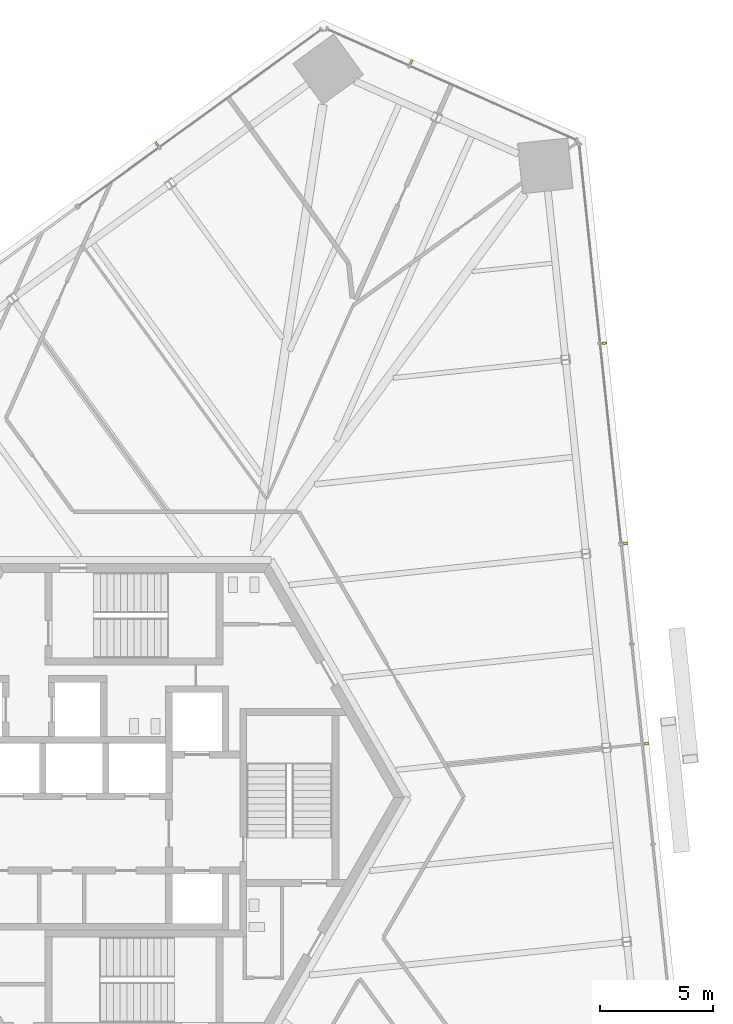
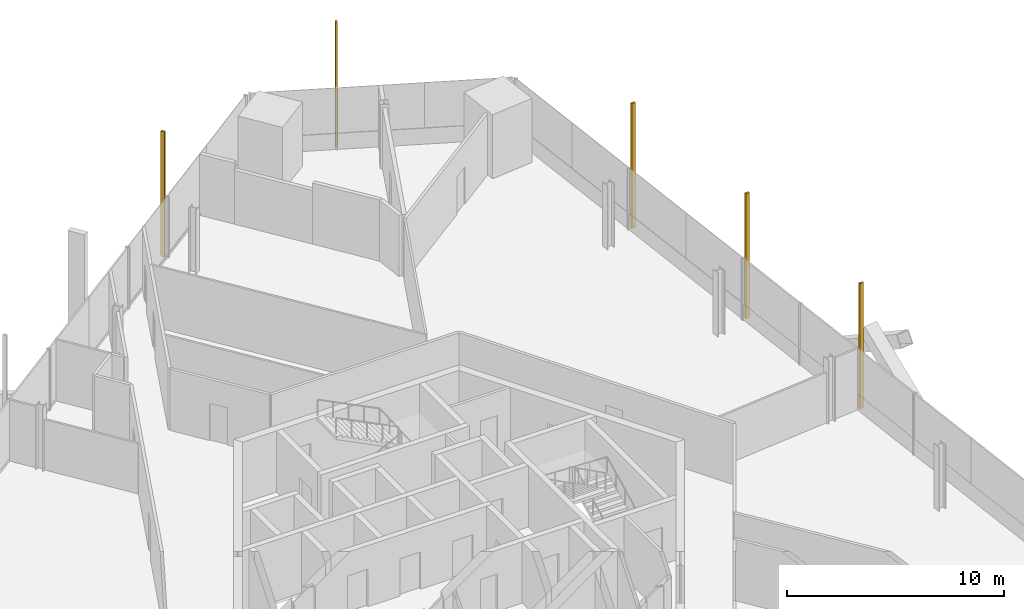
# One storey, part 18 of 21: 5 shading devices.
"""IFC4 building model written with IfcOpenShell, lengths in metres."""

from ifc_helpers import new_model, si_unit, direction, frame, origin, origin_2d, place, context, subcontext, project, spatial, rectangle, extrude, source, transform, mapped, material, element, save


model = new_model("IFC4")

# Units and contexts
model_context = context("Model", 3, precision=1e-05, world=origin(), true_north=direction((0.0, 1.0)))
body_context = subcontext(model_context, "Body", "Model", "MODEL_VIEW")
ifc_project = project(units=[si_unit("LENGTHUNIT", "METRE"), si_unit("AREAUNIT", "SQUARE_METRE"), si_unit("VOLUMEUNIT", "CUBIC_METRE"), si_unit("PLANEANGLEUNIT", "RADIAN"), si_unit("MASSUNIT", "GRAM", prefix="KILO")], contexts=[model_context])

# Site, building, storey
site_placement = place(None, origin())
site = spatial("IfcSite", under=ifc_project, at=site_placement, CompositionType="ELEMENT")
building_placement = place(site_placement, origin())
building = spatial("IfcBuilding", under=site, at=building_placement, Name="Triune Harvest Tower", CompositionType="ELEMENT")
storey_placement = place(building_placement, frame((0.0, 0.0, 72.89990234375)))
storey = spatial("IfcBuildingStorey", under=building, at=storey_placement, Name="L17", CompositionType="ELEMENT", Elevation=72.89990234375)

# Shading devices
ifc_material = material(Name="Aluminium bronze anodised", Category="aluminium")
shared_shape = source(origin(), body_context, "Body", "SweptSolid", [
    extrude(rectangle(XDim=0.10009765625, YDim=0.199951171875, at=origin_2d()), origin(), (0.0, 0.0, 1.0), 7.0400390625),
])
for number, where, z_axis, x_axis, name in (
    (1, (22.772216796875, 2.3935546875, 0.0), (0.0, 0.0, 1.0), (-0.104527536558, 0.994521992769, 0.0), "FN-1 fin B2-F1.7 L17"),
    (2, (21.837646484375, 11.28564453125, 0.0), (0.0, 0.0, 1.0), (-0.104527536558, 0.994521992769, 0.0), "FN-1 fin B2-F1.9 L17"),
    (3, (20.903076171875, 20.177734375, 0.0), (0.0, 0.0, 1.0), (-0.104527536558, 0.994521992769, 0.0), "FN-1 fin B2-F1.11 L17"),
    (4, (12.31689453125, 32.67138671875, 0.0), (0.0, 0.0, 1.0), (-0.913546644034, 0.406733978386, 0.0), "FN-1 fin B2-F2.3 L17"),
    (5, (1.001953125, 29.03125, 0.0), (0.0, 0.0, 1.0), (-0.809017013446, -0.587785226043, 0.0), "FN-1 fin B2-F3.3 L17"),
):
    element("IfcShadingDevice", number, at=place(storey_placement, frame(where, z_axis=z_axis, x_axis=x_axis)), inside=storey, material=ifc_material, Name=name, ObjectType="FIN", PredefinedType="USERDEFINED", context=body_context, shape_type="MappedRepresentation", body=[
        mapped(shared_shape, transform((0.0, 0.0, 0.0), scale=1.0)),
    ])

save(model, "model.ifc")
